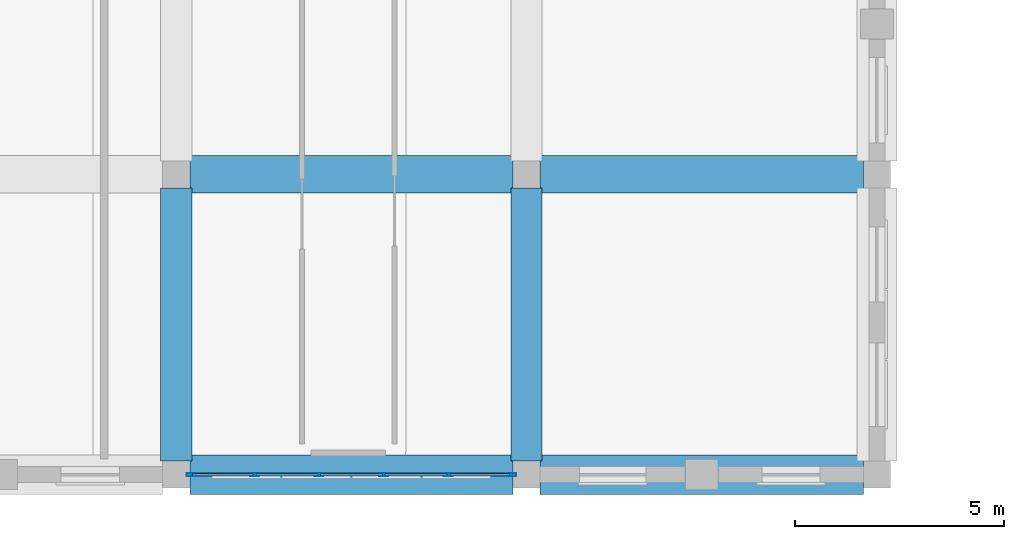
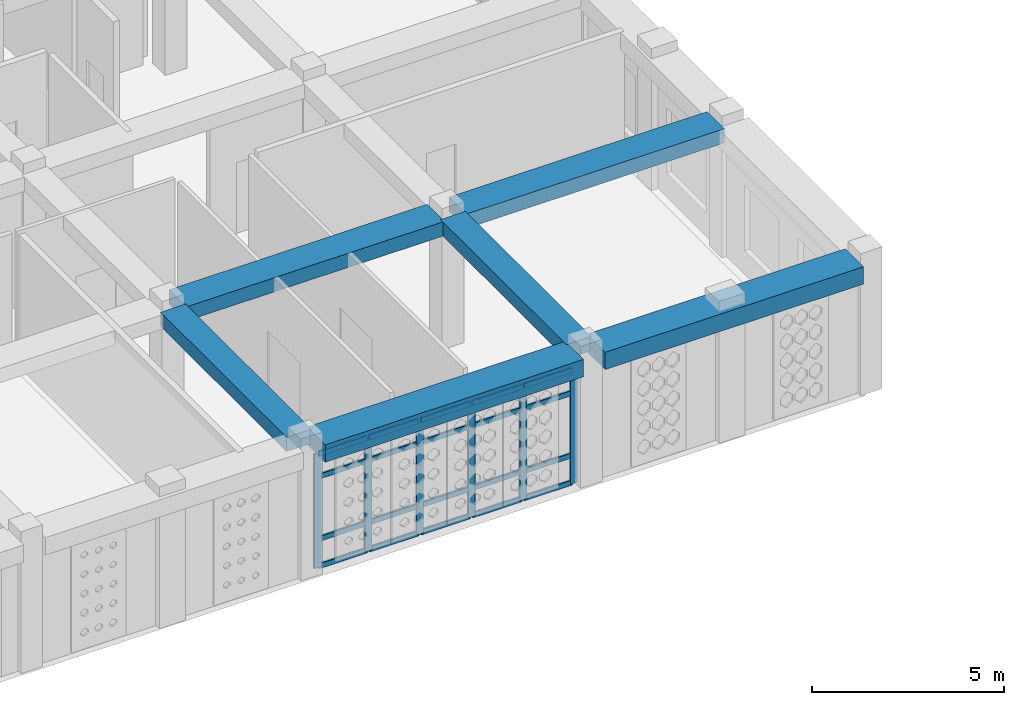
# One storey, part 5 of 79: 26 members, 6 beams, 1 element without a shape of its own.
"""IFC4 building model written with IfcOpenShell, lengths in metres."""

from ifc_helpers import new_model, si_unit, derived_unit, direction, frame, origin, origin_2d, place, context, subcontext, project, spatial, rectangle, hollow_rectangle, extrude, material, material_profile, profile_set, type_object, element, aggregate, save


model = new_model("IFC4")

# Units and contexts
model_context = context("Model", 3, precision=1e-05, world=origin(), true_north=direction((0.0, 1.0)))
body_context = subcontext(model_context, "Body", "Model", "MODEL_VIEW")
ifc_project = project(units=[si_unit("LENGTHUNIT", "METRE"), si_unit("AREAUNIT", "SQUARE_METRE"), si_unit("VOLUMEUNIT", "CUBIC_METRE"), si_unit("PLANEANGLEUNIT", "RADIAN"), si_unit("MASSUNIT", "GRAM", prefix="KILO"), derived_unit("THERMALTRANSMITTANCEUNIT", [(si_unit("POWERUNIT", "WATT"), 1), (si_unit("LENGTHUNIT", "METRE"), -2), (si_unit("THERMODYNAMICTEMPERATUREUNIT", "KELVIN"), -1)])], contexts=[model_context])

# Site, building, storey
site_placement = place(None, origin())
site = spatial("IfcSite", under=ifc_project, at=site_placement, CompositionType="ELEMENT")
building_placement = place(site_placement, origin())
building = spatial("IfcBuilding", under=site, at=building_placement, Name="Veybourne Emporium", CompositionType="ELEMENT")
storey_placement = place(building_placement, frame((0.0, 0.0, 18.89990234375)))
storey = spatial("IfcBuildingStorey", under=building, at=storey_placement, Name="L04", CompositionType="ELEMENT", Elevation=18.89990234375)

# Curtain wall, members
ifc_material_1 = material(Name="Patinated Architectural Bronze", Category="bronze")
curtain_wall_type = type_object("IfcCurtainWallType", Name="CWSystem_CWS-28", PredefinedType="NOTDEFINED", material=ifc_material_1)
curtain_wall_placement = place(storey_placement, origin())
curtain_wall = element("IfcCurtainWall", 1, at=curtain_wall_placement, inside=storey, type_object=curtain_wall_type, Name="L04 bronze glazed curtain wall CWS-28 (021)", PredefinedType="NOTDEFINED")
ifc_material_profile_1 = material_profile(ifc_material_1, hollow_rectangle(XDim=0.070068359375, YDim=0.219970703125, WallThickness=0.0048828125, InnerFilletRadius=0.007568359375, OuterFilletRadius=0.012451171875, at=origin_2d()), Name="CWM 70x220x5")
ifc_profile_set_1 = profile_set([ifc_material_profile_1], Name="Patinated Architectural Bronze")
member_type_1 = type_object("IfcMemberType", Name="CWMullion_CW-M4", PredefinedType="MULLION", material=ifc_profile_set_1)
member_1_placement = place(storey_placement, frame((41.639892578125, 0.0, 0.0), z_axis=(0.0, 0.0, 1.0), x_axis=(0.0, -1.0, 0.0)))
member_1 = element("IfcMember", 2, at=member_1_placement, type_object=member_type_1, Name="CWS-28 mullion 1", PredefinedType="MULLION", context=body_context, shape_type="SweptSolid", body=[
    extrude(hollow_rectangle(XDim=0.070068359375, YDim=0.219970703125, WallThickness=0.0048828125, InnerFilletRadius=0.007568359375, OuterFilletRadius=0.012451171875, at=origin_2d()), origin(), (0.0, 0.0, 1.0), 3.630126953125),
])
member_2_placement = place(storey_placement, frame((40.125, 0.0, 0.0), z_axis=(0.0, 0.0, 1.0), x_axis=(0.0, -1.0, 0.0)))
member_2 = element("IfcMember", 3, at=member_2_placement, type_object=member_type_1, Name="CWS-28 mullion 2", PredefinedType="MULLION", context=body_context, shape_type="SweptSolid", body=[
    extrude(hollow_rectangle(XDim=0.070068359375, YDim=0.219970703125, WallThickness=0.0048828125, InnerFilletRadius=0.007568359375, OuterFilletRadius=0.012451171875, at=origin_2d()), origin(), (0.0, 0.0, 1.0), 3.630126953125),
])
member_3_placement = place(storey_placement, frame((38.574951171875, 0.0, 0.0), z_axis=(0.0, 0.0, 1.0), x_axis=(0.0, -1.0, 0.0)))
member_3 = element("IfcMember", 4, at=member_3_placement, type_object=member_type_1, Name="CWS-28 mullion 3", PredefinedType="MULLION", context=body_context, shape_type="SweptSolid", body=[
    extrude(hollow_rectangle(XDim=0.070068359375, YDim=0.219970703125, WallThickness=0.0048828125, InnerFilletRadius=0.007568359375, OuterFilletRadius=0.012451171875, at=origin_2d()), origin(), (0.0, 0.0, 1.0), 3.630126953125),
])
member_4_placement = place(storey_placement, frame((37.02490234375, 0.0, 0.0), z_axis=(0.0, 0.0, 1.0), x_axis=(0.0, -1.0, 0.0)))
member_4 = element("IfcMember", 5, at=member_4_placement, type_object=member_type_1, Name="CWS-28 mullion 4", PredefinedType="MULLION", context=body_context, shape_type="SweptSolid", body=[
    extrude(hollow_rectangle(XDim=0.070068359375, YDim=0.219970703125, WallThickness=0.0048828125, InnerFilletRadius=0.007568359375, OuterFilletRadius=0.012451171875, at=origin_2d()), origin(), (0.0, 0.0, 1.0), 3.630126953125),
])
member_5_placement = place(storey_placement, frame((35.47509765625, 0.0, 0.0), z_axis=(0.0, 0.0, 1.0), x_axis=(0.0, -1.0, 0.0)))
member_5 = element("IfcMember", 6, at=member_5_placement, type_object=member_type_1, Name="CWS-28 mullion 5", PredefinedType="MULLION", context=body_context, shape_type="SweptSolid", body=[
    extrude(hollow_rectangle(XDim=0.070068359375, YDim=0.219970703125, WallThickness=0.0048828125, InnerFilletRadius=0.007568359375, OuterFilletRadius=0.012451171875, at=origin_2d()), origin(), (0.0, 0.0, 1.0), 3.630126953125),
])
member_6_placement = place(storey_placement, frame((33.9599609375, 0.0, 0.0), z_axis=(0.0, 0.0, 1.0), x_axis=(0.0, -1.0, 0.0)))
member_6 = element("IfcMember", 7, at=member_6_placement, type_object=member_type_1, Name="CWS-28 mullion 6", PredefinedType="MULLION", context=body_context, shape_type="SweptSolid", body=[
    extrude(hollow_rectangle(XDim=0.070068359375, YDim=0.219970703125, WallThickness=0.0048828125, InnerFilletRadius=0.007568359375, OuterFilletRadius=0.012451171875, at=origin_2d()), origin(), (0.0, 0.0, 1.0), 3.630126953125),
])
ifc_material_profile_2 = material_profile(ifc_material_1, hollow_rectangle(XDim=0.070068359375, YDim=0.169921875, WallThickness=0.0048828125, InnerFilletRadius=0.007568359375, OuterFilletRadius=0.012451171875, at=origin_2d()), Name="CWT 70x170x5")
ifc_profile_set_2 = profile_set([ifc_material_profile_2], Name="Patinated Architectural Bronze")
member_type_2 = type_object("IfcMemberType", Name="CWTransom_CW-T4", PredefinedType="NOTDEFINED", material=ifc_profile_set_2)
member_7_placement = place(storey_placement, frame((41.60498046875, 0.0, 0.03515625), z_axis=(-1.0, 0.0, 0.0), x_axis=(0.0, -1.0, 0.0)))
member_7 = element("IfcMember", 8, at=member_7_placement, type_object=member_type_2, Name="CWS-28 transom 1.1", ObjectType="TRANSOM", PredefinedType="USERDEFINED", context=body_context, shape_type="SweptSolid", body=[
    extrude(hollow_rectangle(XDim=0.070068359375, YDim=0.169921875, WallThickness=0.0048828125, InnerFilletRadius=0.007568359375, OuterFilletRadius=0.012451171875, at=origin_2d()), origin(), (0.0, 0.0, 1.0), 1.445068359375),
])
member_8_placement = place(storey_placement, frame((41.60498046875, 0.0, 0.900146484375), z_axis=(-1.0, 0.0, 0.0), x_axis=(0.0, -1.0, 0.0)))
member_8 = element("IfcMember", 9, at=member_8_placement, type_object=member_type_2, Name="CWS-28 transom 1.2", ObjectType="TRANSOM", PredefinedType="USERDEFINED", context=body_context, shape_type="SweptSolid", body=[
    extrude(hollow_rectangle(XDim=0.070068359375, YDim=0.169921875, WallThickness=0.0048828125, InnerFilletRadius=0.007568359375, OuterFilletRadius=0.012451171875, at=origin_2d()), origin(), (0.0, 0.0, 1.0), 1.445068359375),
])
member_9_placement = place(storey_placement, frame((41.60498046875, 0.0, 2.880126953125), z_axis=(-1.0, 0.0, 0.0), x_axis=(0.0, -1.0, 0.0)))
member_9 = element("IfcMember", 10, at=member_9_placement, type_object=member_type_2, Name="CWS-28 transom 1.3", ObjectType="TRANSOM", PredefinedType="USERDEFINED", context=body_context, shape_type="SweptSolid", body=[
    extrude(hollow_rectangle(XDim=0.070068359375, YDim=0.169921875, WallThickness=0.0048828125, InnerFilletRadius=0.007568359375, OuterFilletRadius=0.012451171875, at=origin_2d()), origin(), (0.0, 0.0, 1.0), 1.445068359375),
])
member_10_placement = place(storey_placement, frame((41.60498046875, 0.0, 3.59521484375), z_axis=(-1.0, 0.0, 0.0), x_axis=(0.0, -1.0, 0.0)))
member_10 = element("IfcMember", 11, at=member_10_placement, type_object=member_type_2, Name="CWS-28 transom 1.4", ObjectType="TRANSOM", PredefinedType="USERDEFINED", context=body_context, shape_type="SweptSolid", body=[
    extrude(hollow_rectangle(XDim=0.070068359375, YDim=0.169921875, WallThickness=0.0048828125, InnerFilletRadius=0.007568359375, OuterFilletRadius=0.012451171875, at=origin_2d()), origin(), (0.0, 0.0, 1.0), 1.445068359375),
])
member_11_placement = place(storey_placement, frame((40.090087890625, 0.0, 0.03515625), z_axis=(-1.0, 0.0, 0.0), x_axis=(0.0, -1.0, 0.0)))
member_11 = element("IfcMember", 12, at=member_11_placement, type_object=member_type_2, Name="CWS-28 transom 2.1", ObjectType="TRANSOM", PredefinedType="USERDEFINED", context=body_context, shape_type="SweptSolid", body=[
    extrude(hollow_rectangle(XDim=0.070068359375, YDim=0.169921875, WallThickness=0.0048828125, InnerFilletRadius=0.007568359375, OuterFilletRadius=0.012451171875, at=origin_2d()), origin(), (0.0, 0.0, 1.0), 1.47998046875),
])
member_12_placement = place(storey_placement, frame((40.090087890625, 0.0, 0.900146484375), z_axis=(-1.0, 0.0, 0.0), x_axis=(0.0, -1.0, 0.0)))
member_12 = element("IfcMember", 13, at=member_12_placement, type_object=member_type_2, Name="CWS-28 transom 2.2", ObjectType="TRANSOM", PredefinedType="USERDEFINED", context=body_context, shape_type="SweptSolid", body=[
    extrude(hollow_rectangle(XDim=0.070068359375, YDim=0.169921875, WallThickness=0.0048828125, InnerFilletRadius=0.007568359375, OuterFilletRadius=0.012451171875, at=origin_2d()), origin(), (0.0, 0.0, 1.0), 1.47998046875),
])
member_13_placement = place(storey_placement, frame((40.090087890625, 0.0, 2.880126953125), z_axis=(-1.0, 0.0, 0.0), x_axis=(0.0, -1.0, 0.0)))
member_13 = element("IfcMember", 14, at=member_13_placement, type_object=member_type_2, Name="CWS-28 transom 2.3", ObjectType="TRANSOM", PredefinedType="USERDEFINED", context=body_context, shape_type="SweptSolid", body=[
    extrude(hollow_rectangle(XDim=0.070068359375, YDim=0.169921875, WallThickness=0.0048828125, InnerFilletRadius=0.007568359375, OuterFilletRadius=0.012451171875, at=origin_2d()), origin(), (0.0, 0.0, 1.0), 1.47998046875),
])
member_14_placement = place(storey_placement, frame((40.090087890625, 0.0, 3.59521484375), z_axis=(-1.0, 0.0, 0.0), x_axis=(0.0, -1.0, 0.0)))
member_14 = element("IfcMember", 15, at=member_14_placement, type_object=member_type_2, Name="CWS-28 transom 2.4", ObjectType="TRANSOM", PredefinedType="USERDEFINED", context=body_context, shape_type="SweptSolid", body=[
    extrude(hollow_rectangle(XDim=0.070068359375, YDim=0.169921875, WallThickness=0.0048828125, InnerFilletRadius=0.007568359375, OuterFilletRadius=0.012451171875, at=origin_2d()), origin(), (0.0, 0.0, 1.0), 1.47998046875),
])
member_15_placement = place(storey_placement, frame((38.5400390625, 0.0, 0.03515625), z_axis=(-1.0, 0.0, 0.0), x_axis=(0.0, -1.0, 0.0)))
member_15 = element("IfcMember", 16, at=member_15_placement, type_object=member_type_2, Name="CWS-28 transom 3.1", ObjectType="TRANSOM", PredefinedType="USERDEFINED", context=body_context, shape_type="SweptSolid", body=[
    extrude(hollow_rectangle(XDim=0.070068359375, YDim=0.169921875, WallThickness=0.0048828125, InnerFilletRadius=0.007568359375, OuterFilletRadius=0.012451171875, at=origin_2d()), origin(), (0.0, 0.0, 1.0), 1.47998046875),
])
member_16_placement = place(storey_placement, frame((38.5400390625, 0.0, 0.900146484375), z_axis=(-1.0, 0.0, 0.0), x_axis=(0.0, -1.0, 0.0)))
member_16 = element("IfcMember", 17, at=member_16_placement, type_object=member_type_2, Name="CWS-28 transom 3.2", ObjectType="TRANSOM", PredefinedType="USERDEFINED", context=body_context, shape_type="SweptSolid", body=[
    extrude(hollow_rectangle(XDim=0.070068359375, YDim=0.169921875, WallThickness=0.0048828125, InnerFilletRadius=0.007568359375, OuterFilletRadius=0.012451171875, at=origin_2d()), origin(), (0.0, 0.0, 1.0), 1.47998046875),
])
member_17_placement = place(storey_placement, frame((38.5400390625, 0.0, 2.880126953125), z_axis=(-1.0, 0.0, 0.0), x_axis=(0.0, -1.0, 0.0)))
member_17 = element("IfcMember", 18, at=member_17_placement, type_object=member_type_2, Name="CWS-28 transom 3.3", ObjectType="TRANSOM", PredefinedType="USERDEFINED", context=body_context, shape_type="SweptSolid", body=[
    extrude(hollow_rectangle(XDim=0.070068359375, YDim=0.169921875, WallThickness=0.0048828125, InnerFilletRadius=0.007568359375, OuterFilletRadius=0.012451171875, at=origin_2d()), origin(), (0.0, 0.0, 1.0), 1.47998046875),
])
member_18_placement = place(storey_placement, frame((38.5400390625, 0.0, 3.59521484375), z_axis=(-1.0, 0.0, 0.0), x_axis=(0.0, -1.0, 0.0)))
member_18 = element("IfcMember", 19, at=member_18_placement, type_object=member_type_2, Name="CWS-28 transom 3.4", ObjectType="TRANSOM", PredefinedType="USERDEFINED", context=body_context, shape_type="SweptSolid", body=[
    extrude(hollow_rectangle(XDim=0.070068359375, YDim=0.169921875, WallThickness=0.0048828125, InnerFilletRadius=0.007568359375, OuterFilletRadius=0.012451171875, at=origin_2d()), origin(), (0.0, 0.0, 1.0), 1.47998046875),
])
member_19_placement = place(storey_placement, frame((36.989990234375, 0.0, 0.03515625), z_axis=(-1.0, 0.0, 0.0), x_axis=(0.0, -1.0, 0.0)))
member_19 = element("IfcMember", 20, at=member_19_placement, type_object=member_type_2, Name="CWS-28 transom 4.1", ObjectType="TRANSOM", PredefinedType="USERDEFINED", context=body_context, shape_type="SweptSolid", body=[
    extrude(hollow_rectangle(XDim=0.070068359375, YDim=0.169921875, WallThickness=0.0048828125, InnerFilletRadius=0.007568359375, OuterFilletRadius=0.012451171875, at=origin_2d()), origin(), (0.0, 0.0, 1.0), 1.47998046875),
])
member_20_placement = place(storey_placement, frame((36.989990234375, 0.0, 0.900146484375), z_axis=(-1.0, 0.0, 0.0), x_axis=(0.0, -1.0, 0.0)))
member_20 = element("IfcMember", 21, at=member_20_placement, type_object=member_type_2, Name="CWS-28 transom 4.2", ObjectType="TRANSOM", PredefinedType="USERDEFINED", context=body_context, shape_type="SweptSolid", body=[
    extrude(hollow_rectangle(XDim=0.070068359375, YDim=0.169921875, WallThickness=0.0048828125, InnerFilletRadius=0.007568359375, OuterFilletRadius=0.012451171875, at=origin_2d()), origin(), (0.0, 0.0, 1.0), 1.47998046875),
])
member_21_placement = place(storey_placement, frame((36.989990234375, 0.0, 2.880126953125), z_axis=(-1.0, 0.0, 0.0), x_axis=(0.0, -1.0, 0.0)))
member_21 = element("IfcMember", 22, at=member_21_placement, type_object=member_type_2, Name="CWS-28 transom 4.3", ObjectType="TRANSOM", PredefinedType="USERDEFINED", context=body_context, shape_type="SweptSolid", body=[
    extrude(hollow_rectangle(XDim=0.070068359375, YDim=0.169921875, WallThickness=0.0048828125, InnerFilletRadius=0.007568359375, OuterFilletRadius=0.012451171875, at=origin_2d()), origin(), (0.0, 0.0, 1.0), 1.47998046875),
])
member_22_placement = place(storey_placement, frame((36.989990234375, 0.0, 3.59521484375), z_axis=(-1.0, 0.0, 0.0), x_axis=(0.0, -1.0, 0.0)))
member_22 = element("IfcMember", 23, at=member_22_placement, type_object=member_type_2, Name="CWS-28 transom 4.4", ObjectType="TRANSOM", PredefinedType="USERDEFINED", context=body_context, shape_type="SweptSolid", body=[
    extrude(hollow_rectangle(XDim=0.070068359375, YDim=0.169921875, WallThickness=0.0048828125, InnerFilletRadius=0.007568359375, OuterFilletRadius=0.012451171875, at=origin_2d()), origin(), (0.0, 0.0, 1.0), 1.47998046875),
])
member_23_placement = place(storey_placement, frame((35.43994140625, 0.0, 0.03515625), z_axis=(-1.0, 0.0, 0.0), x_axis=(0.0, -1.0, 0.0)))
member_23 = element("IfcMember", 24, at=member_23_placement, type_object=member_type_2, Name="CWS-28 transom 5.1", ObjectType="TRANSOM", PredefinedType="USERDEFINED", context=body_context, shape_type="SweptSolid", body=[
    extrude(hollow_rectangle(XDim=0.070068359375, YDim=0.169921875, WallThickness=0.0048828125, InnerFilletRadius=0.007568359375, OuterFilletRadius=0.012451171875, at=origin_2d()), origin(), (0.0, 0.0, 1.0), 1.44482421875),
])
member_24_placement = place(storey_placement, frame((35.43994140625, 0.0, 0.900146484375), z_axis=(-1.0, 0.0, 0.0), x_axis=(0.0, -1.0, 0.0)))
member_24 = element("IfcMember", 25, at=member_24_placement, type_object=member_type_2, Name="CWS-28 transom 5.2", ObjectType="TRANSOM", PredefinedType="USERDEFINED", context=body_context, shape_type="SweptSolid", body=[
    extrude(hollow_rectangle(XDim=0.070068359375, YDim=0.169921875, WallThickness=0.0048828125, InnerFilletRadius=0.007568359375, OuterFilletRadius=0.012451171875, at=origin_2d()), origin(), (0.0, 0.0, 1.0), 1.44482421875),
])
member_25_placement = place(storey_placement, frame((35.43994140625, 0.0, 2.880126953125), z_axis=(-1.0, 0.0, 0.0), x_axis=(0.0, -1.0, 0.0)))
member_25 = element("IfcMember", 26, at=member_25_placement, type_object=member_type_2, Name="CWS-28 transom 5.3", ObjectType="TRANSOM", PredefinedType="USERDEFINED", context=body_context, shape_type="SweptSolid", body=[
    extrude(hollow_rectangle(XDim=0.070068359375, YDim=0.169921875, WallThickness=0.0048828125, InnerFilletRadius=0.007568359375, OuterFilletRadius=0.012451171875, at=origin_2d()), origin(), (0.0, 0.0, 1.0), 1.44482421875),
])
member_26_placement = place(storey_placement, frame((35.43994140625, 0.0, 3.59521484375), z_axis=(-1.0, 0.0, 0.0), x_axis=(0.0, -1.0, 0.0)))
member_26 = element("IfcMember", 27, at=member_26_placement, type_object=member_type_2, Name="CWS-28 transom 5.4", ObjectType="TRANSOM", PredefinedType="USERDEFINED", context=body_context, shape_type="SweptSolid", body=[
    extrude(hollow_rectangle(XDim=0.070068359375, YDim=0.169921875, WallThickness=0.0048828125, InnerFilletRadius=0.007568359375, OuterFilletRadius=0.012451171875, at=origin_2d()), origin(), (0.0, 0.0, 1.0), 1.44482421875),
])
aggregate(curtain_wall, [member_1, member_2, member_3, member_4, member_5, member_6, member_7, member_8, member_9, member_10, member_11, member_12, member_13, member_14, member_15, member_16, member_17, member_18, member_19, member_20, member_21, member_22, member_23, member_24, member_25, member_26])

# Beams
ifc_material_2 = material(Name="Concrete C32/40", Category="concrete")
ifc_material_profile_3 = material_profile(ifc_material_2, rectangle(XDim=0.89990234375, YDim=0.449951171875, at=origin_2d()), Name="RC 900x450")
ifc_profile_set_3 = profile_set([ifc_material_profile_3], Name="Concrete C32/40")
beam_type_1 = type_object("IfcBeamType", Name="RCBeam_BB-03", PredefinedType="BEAM", material=ifc_profile_set_3)
for number, where, z_axis, x_axis, name in (
    (28, (33.925048828125, 7.199951171875, 3.955078125), (1.0, 0.0, 0.0), (0.0, 1.0, 0.0), "L04 X-grid beam BB-03 (4,1)"),
    (29, (42.324951171875, 7.199951171875, 3.955078125), (1.0, 0.0, 0.0), (0.0, 1.0, 0.0), "L04 X-grid beam BB-03 (5,1)"),
):
    element("IfcBeam", number, at=place(storey_placement, frame(where, z_axis=z_axis, x_axis=x_axis)), inside=storey, type_object=beam_type_1, Name=name, PredefinedType="BEAM", context=body_context, shape_type="SweptSolid", body=[
        extrude(rectangle(XDim=0.89990234375, YDim=0.449951171875, at=origin_2d()), origin(), (0.0, 0.0, 1.0), 7.75),
    ])
ifc_material_profile_4 = material_profile(ifc_material_2, rectangle(XDim=0.75, YDim=0.449951171875, at=origin_2d()), Name="RC 750x450")
ifc_profile_set_4 = profile_set([ifc_material_profile_4], Name="Concrete C32/40")
beam_type_2 = type_object("IfcBeamType", Name="RCBeam_BB-04", PredefinedType="BEAM", material=ifc_profile_set_4)
for number, where, z_axis, x_axis, name in (
    (30, (33.60009765625, 0.324951171875, 3.955078125), (0.0, 1.0, 0.0), (-1.0, 0.0, 0.0), "L04 Y-grid beam BB-04 (4,0)"),
    (31, (42.0, 0.324951171875, 3.955078125), (0.0, 1.0, 0.0), (-1.0, 0.0, 0.0), "L04 Y-grid beam BB-04 (5,0)"),
):
    element("IfcBeam", number, at=place(storey_placement, frame(where, z_axis=z_axis, x_axis=x_axis)), inside=storey, type_object=beam_type_2, Name=name, PredefinedType="BEAM", context=body_context, shape_type="SweptSolid", body=[
        extrude(rectangle(XDim=0.75, YDim=0.449951171875, at=origin_2d()), origin(), (0.0, 0.0, 1.0), 6.550048828125),
    ])
ifc_material_profile_5 = material_profile(ifc_material_2, rectangle(XDim=0.949951171875, YDim=0.550048828125, at=origin_2d()), Name="RC 950x550")
ifc_profile_set_5 = profile_set([ifc_material_profile_5], Name="Concrete C32/40")
beam_type_3 = type_object("IfcBeamType", Name="RCBeam_EB-01", PredefinedType="SPANDREL", material=ifc_profile_set_5)
for number, where, z_axis, x_axis, name in (
    (32, (33.925048828125, 0.0, 3.905029296875), (1.0, 0.0, 0.0), (0.0, 1.0, 0.0), "L04 X-grid beam EB-01 (4,0)"),
    (33, (42.324951171875, 0.0, 3.905029296875), (1.0, 0.0, 0.0), (0.0, 1.0, 0.0), "L04 X-grid beam EB-01 (5,0)"),
):
    element("IfcBeam", number, at=place(storey_placement, frame(where, z_axis=z_axis, x_axis=x_axis)), inside=storey, type_object=beam_type_3, Name=name, PredefinedType="SPANDREL", context=body_context, shape_type="SweptSolid", body=[
        extrude(rectangle(XDim=0.949951171875, YDim=0.550048828125, at=origin_2d()), origin(), (0.0, 0.0, 1.0), 7.75),
    ])

save(model, "model.ifc")
